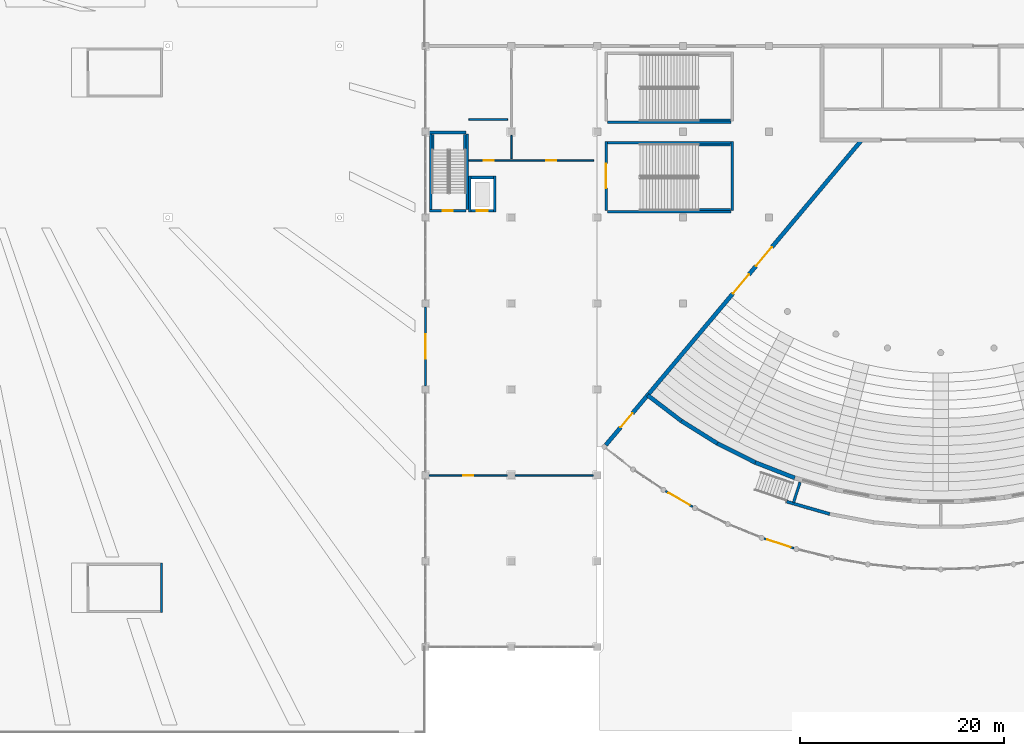
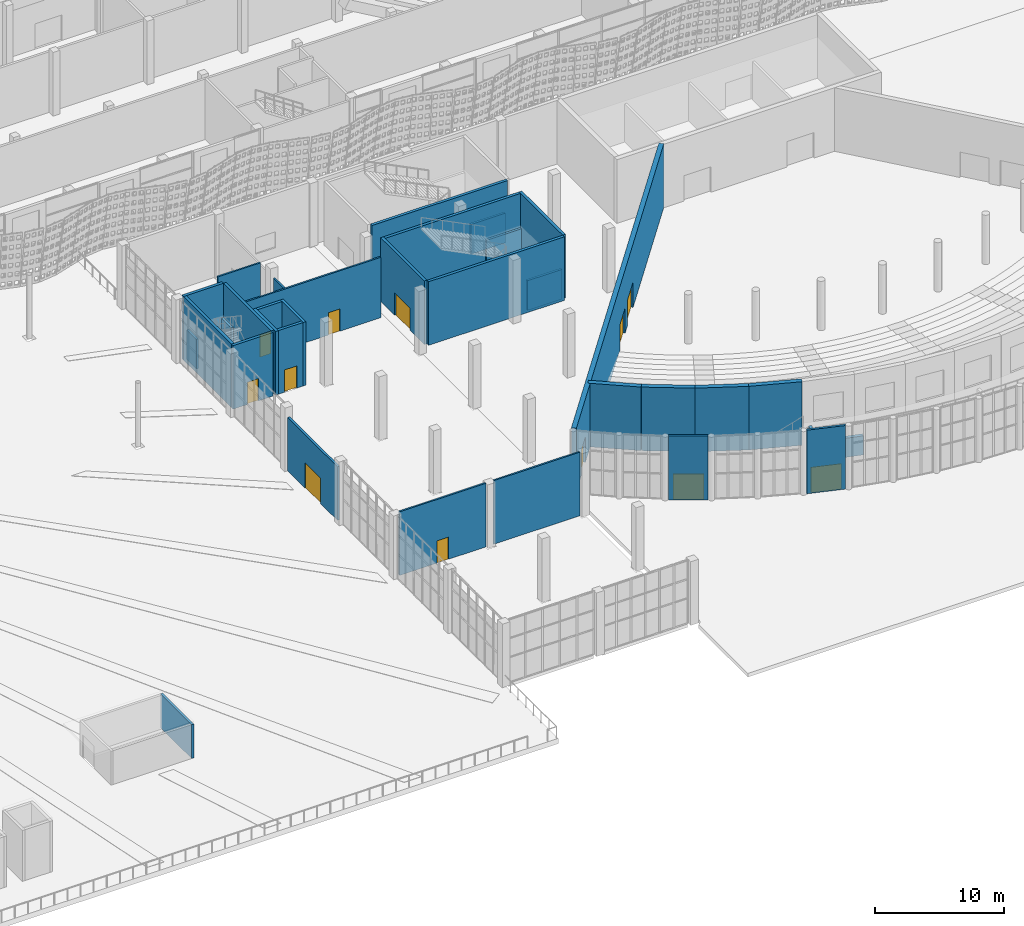
# One storey, part 108 of 210: 34 walls, 12 doors, 12 openings.
"""IFC4 building model written with IfcOpenShell, lengths in metres."""

from ifc_helpers import new_model, si_unit, direction, frame, frame_2d, origin, place, context, subcontext, project, spatial, rectangle, extrude, material, layer, layer_set, type_object, element, fill, save


model = new_model("IFC4")

# Units and contexts
model_context = context("Model", 3, precision=1e-05, world=origin(), true_north=direction((0.0, 1.0)))
body_context = subcontext(model_context, "Body", "Model", "MODEL_VIEW")
ifc_project = project(units=[si_unit("LENGTHUNIT", "METRE"), si_unit("AREAUNIT", "SQUARE_METRE"), si_unit("VOLUMEUNIT", "CUBIC_METRE"), si_unit("PLANEANGLEUNIT", "RADIAN"), si_unit("MASSUNIT", "GRAM", prefix="KILO")], contexts=[model_context])

# Site, building, storey
site_placement = place(None, origin())
site = spatial("IfcSite", under=ifc_project, at=site_placement, CompositionType="ELEMENT")
building_placement = place(site_placement, origin())
building = spatial("IfcBuilding", under=site, at=building_placement, Name="Rain Tree Exposition and Congress Centre", CompositionType="ELEMENT")
storey_placement = place(building_placement, origin())
storey = spatial("IfcBuildingStorey", under=building, at=storey_placement, Name="L00", CompositionType="ELEMENT", Elevation=0.0)

# Wall, openings, doors
ifc_material_1 = material(Name="Concrete C40/50", Category="concrete")
ifc_layer_1 = layer(ifc_material_1, 0.39990234375)
ifc_layer_set_1 = layer_set([ifc_layer_1], Name="Concrete C40/50")
wall_type_1 = type_object("IfcWallType", Name="Acoustic wall 400", PredefinedType="SHEAR", material=ifc_layer_set_1)
wall_1_placement = place(storey_placement, frame((193.886474609375, 58.007568359375, 0.0), z_axis=(0.0, 0.0, 1.0), x_axis=(-0.642781866374, -0.766049262293, 0.0)))
wall_1 = element("IfcWall", 1, at=wall_1_placement, inside=storey, type_object=wall_type_1, Name="Side wall W", PredefinedType="SHEAR", context=body_context, shape_type="SweptSolid", body=[
    extrude(rectangle(XDim=38.949951171875, YDim=0.39990234375, at=frame_2d((19.47509765625, 0.0))), origin(), (0.0, 0.0, 1.0), 6.0),
])
opening_1_placement = place(wall_1_placement, frame((13.699951171875, 0.0, 0.0)))
opening_1 = element("IfcOpeningElement", 2, at=opening_1_placement, cuts=wall_1, Name="Opening DG101", PredefinedType="OPENING", context=body_context, shape_type="SweptSolid", body=[
    extrude(rectangle(XDim=2.39990234375, YDim=2.39990234375, at=frame_2d((1.199951171875, 1.199951171875))), frame((0.0, 0.199951171875, 0.0), z_axis=(0.0, -1.0, 0.0), x_axis=(1.0, 0.0, 0.0)), (0.0, 0.0, 1.0), 0.39990234375),
])
opening_2_placement = place(wall_1_placement, frame((17.199951171875, 0.0, 0.0)))
opening_2 = element("IfcOpeningElement", 3, at=opening_2_placement, cuts=wall_1, Name="Opening DG102", PredefinedType="OPENING", context=body_context, shape_type="SweptSolid", body=[
    extrude(rectangle(XDim=2.39990234375, YDim=2.39990234375, at=frame_2d((1.199951171875, 1.199951171875))), frame((0.0, 0.199951171875, 0.0), z_axis=(0.0, -1.0, 0.0), x_axis=(1.0, 0.0, 0.0)), (0.0, 0.0, 1.0), 0.39990234375),
])
opening_3_placement = place(wall_1_placement, frame((34.89990234375, 0.0, 0.0)))
opening_3 = element("IfcOpeningElement", 4, at=opening_3_placement, cuts=wall_1, Name="Opening DG103", PredefinedType="OPENING", context=body_context, shape_type="SweptSolid", body=[
    extrude(rectangle(XDim=1.800048828125, YDim=2.39990234375, at=frame_2d((0.89990234375, 1.199951171875))), frame((0.0, 0.199951171875, 0.0), z_axis=(0.0, -1.0, 0.0), x_axis=(1.0, 0.0, 0.0)), (0.0, 0.0, 1.0), 0.39990234375),
])
ifc_material_2 = material(Name="Timber with steel frame", Category="steel")
door_type_1 = type_object("IfcDoorType", Name="Auditorium exit door 1800x2400", OperationType="DOUBLE_DOOR_SINGLE_SWING", PredefinedType="DOOR", material=ifc_material_2)
door_1_placement = place(opening_3_placement, origin())
door_1 = element("IfcDoor", 5, at=door_1_placement, inside=storey, type_object=door_type_1, Name="DG103", OperationType="DOUBLE_DOOR_SINGLE_SWING", OverallHeight=2.39990234375, OverallWidth=1.800048828125, PredefinedType="DOOR", context=body_context, shape_type="SweptSolid", body=[
    extrude(rectangle(XDim=1.800048828125, YDim=2.39990234375, at=frame_2d((0.89990234375, 1.199951171875))), frame((0.0, 0.02490234375, 0.0), z_axis=(0.0, -1.0, 0.0), x_axis=(1.0, 0.0, 0.0)), (0.0, 0.0, 1.0), 0.050048828125),
])
fill(opening_3, door_1)
ifc_material_3 = material(Name="Aluminium and glass", Category="aluminium")
door_type_2 = type_object("IfcDoorType", Name="Entrance door 2400x2400", OperationType="DOUBLE_DOOR_SINGLE_SWING", PredefinedType="DOOR", material=ifc_material_3)
door_2_placement = place(opening_1_placement, origin())
door_2 = element("IfcDoor", 6, at=door_2_placement, inside=storey, type_object=door_type_2, Name="DG101", OperationType="DOUBLE_DOOR_SINGLE_SWING", OverallHeight=2.39990234375, OverallWidth=2.39990234375, PredefinedType="DOOR", context=body_context, shape_type="SweptSolid", body=[
    extrude(rectangle(XDim=2.39990234375, YDim=2.39990234375, at=frame_2d((1.199951171875, 1.199951171875))), frame((0.0, 0.02490234375, 0.0), z_axis=(0.0, -1.0, 0.0), x_axis=(1.0, 0.0, 0.0)), (0.0, 0.0, 1.0), 0.050048828125),
])
fill(opening_1, door_2)
door_3_placement = place(opening_2_placement, origin())
door_3 = element("IfcDoor", 7, at=door_3_placement, inside=storey, type_object=door_type_2, Name="DG102", OperationType="DOUBLE_DOOR_SINGLE_SWING", OverallHeight=2.39990234375, OverallWidth=2.39990234375, PredefinedType="DOOR", context=body_context, shape_type="SweptSolid", body=[
    extrude(rectangle(XDim=2.39990234375, YDim=2.39990234375, at=frame_2d((1.199951171875, 1.199951171875))), frame((0.0, 0.02490234375, 0.0), z_axis=(0.0, -1.0, 0.0), x_axis=(1.0, 0.0, 0.0)), (0.0, 0.0, 1.0), 0.050048828125),
])
fill(opening_2, door_3)

# Walls
for number, where, z_axis, x_axis, name in (
    (8, (172.931640625, 33.034423828125, 0.0), (0.0, 0.0, 1.0), (0.795116964112, -0.60645611002, 0.0), "Rear wall 1"),
    (9, (176.2314453125, 30.517578125, 0.0), (0.0, 0.0, 1.0), (0.848051178058, -0.529914332127, 0.0), "Rear wall 2"),
):
    element("IfcWall", number, at=place(storey_placement, frame(where, z_axis=z_axis, x_axis=x_axis)), inside=storey, type_object=wall_type_1, Name=name, PredefinedType="SHEAR", context=body_context, shape_type="SweptSolid", body=[
        extrude(rectangle(XDim=4.150146484375, YDim=0.39990234375, at=frame_2d((2.0751953125, 0.0))), origin(), (0.0, 0.0, 1.0), 6.0),
    ])
wall_2_placement = place(storey_placement, frame((179.7509765625, 28.318359375, 0.0), z_axis=(0.0, 0.0, 1.0), x_axis=(0.893625673421, -0.448813052175, 0.0)))
element("IfcWall", 10, at=wall_2_placement, inside=storey, type_object=wall_type_1, Name="Rear wall 3", PredefinedType="SHEAR", context=body_context, shape_type="SweptSolid", body=[
    extrude(rectangle(XDim=4.14990234375, YDim=0.39990234375, at=frame_2d((2.074951171875, 0.0))), origin(), (0.0, 0.0, 1.0), 6.0),
])
wall_3_placement = place(storey_placement, frame((183.45947265625, 26.455810546875, 0.0), z_axis=(0.0, 0.0, 1.0), x_axis=(0.931480400258, -0.363791511633, 0.0)))
element("IfcWall", 11, at=wall_3_placement, inside=storey, type_object=wall_type_1, Name="Rear wall 4", PredefinedType="SHEAR", context=body_context, shape_type="SweptSolid", body=[
    extrude(rectangle(XDim=4.150146484375, YDim=0.39990234375, at=frame_2d((2.0751953125, 0.0))), origin(), (0.0, 0.0, 1.0), 6.0),
])
ifc_material_4 = material(Name="Concrete C40/50", Category="concrete")
ifc_layer_2 = layer(ifc_material_4, 0.25)
ifc_layer_set_2 = layer_set([ifc_layer_2], Name="Concrete C40/50")
wall_type_2 = type_object("IfcWallType", Name="Core wall 250", PredefinedType="SHEAR", material=ifc_layer_set_2)
for number, where, z_axis, x_axis, name in (
    (12, (155.050048828125, 57.050048828125, 0.0), (0.0, 0.0, 1.0), (0.0, 1.0, 0.0), "ST-G1 landing support wall 1"),
    (13, (151.949951171875, 58.550048828125, 0.0), (0.0, 0.0, 1.0), (0.0, -1.0, 0.0), "ST-G1 landing support wall 2"),
):
    element("IfcWall", number, at=place(storey_placement, frame(where, z_axis=z_axis, x_axis=x_axis)), inside=storey, type_object=wall_type_2, Name=name, PredefinedType="SHEAR", context=body_context, shape_type="SweptSolid", body=[
        extrude(rectangle(XDim=1.5, YDim=0.199951171875, at=frame_2d((0.75, 0.0))), origin(), (0.0, 0.0, 1.0), 2.800048828125),
    ])
for number, where, z_axis, x_axis, name in (
    (14, (177.949951171875, 51.199951171875, 0.0), (0.0, 0.0, 1.0), (1.0, 0.0, 0.0), "ST-G3 landing support wall 1"),
    (15, (181.050048828125, 57.5, 0.0), (0.0, 0.0, 1.0), (-1.0, 0.0, 0.0), "ST-G3 landing support wall 2"),
    (16, (177.949951171875, 59.949951171875, 0.0), (0.0, 0.0, 1.0), (1.0, 0.0, 0.0), "ST-G4 landing support wall 1"),
):
    element("IfcWall", number, at=place(storey_placement, frame(where, z_axis=z_axis, x_axis=x_axis)), inside=storey, type_object=wall_type_2, Name=name, PredefinedType="SHEAR", context=body_context, shape_type="SweptSolid", body=[
        extrude(rectangle(XDim=3.10009765625, YDim=0.199951171875, at=frame_2d((1.550048828125, 0.0))), origin(), (0.0, 0.0, 1.0), 2.800048828125),
    ])

# Wall, opening, door
wall_4_placement = place(storey_placement, frame((155.14990234375, 51.074951171875, 0.0), z_axis=(0.0, 0.0, 1.0), x_axis=(-1.0, 0.0, 0.0)))
wall_4 = element("IfcWall", 17, at=wall_4_placement, inside=storey, type_object=wall_type_2, Name="Stair ST-G1 near wall", PredefinedType="SHEAR", context=body_context, shape_type="SweptSolid", body=[
    extrude(rectangle(XDim=3.5498046875, YDim=0.25, at=frame_2d((1.77490234375, 0.0))), origin(), (0.0, 0.0, 1.0), 6.0),
])
opening_4_placement = place(wall_4_placement, frame((1.27490234375, 0.0, 0.0)))
opening_4 = element("IfcOpeningElement", 18, at=opening_4_placement, cuts=wall_4, Name="Opening DG132", PredefinedType="OPENING", context=body_context, shape_type="SweptSolid", body=[
    extrude(rectangle(XDim=1.0, YDim=2.10009765625, at=frame_2d((0.5, 1.050048828125))), frame((0.0, 0.125, 0.0), z_axis=(0.0, -1.0, 0.0), x_axis=(1.0, 0.0, 0.0)), (0.0, 0.0, 1.0), 0.25),
])
ifc_material_5 = material(Name="Steel", Category="steel")
door_type_3 = type_object("IfcDoorType", Name="Fire door 1000x2100 congress", OperationType="NOTDEFINED", PredefinedType="DOOR", material=ifc_material_5)
door_4_placement = place(opening_4_placement, origin())
door_4 = element("IfcDoor", 19, at=door_4_placement, inside=storey, type_object=door_type_3, Name="DG132", OperationType="SINGLE_SWING_LEFT", OverallHeight=2.10009765625, OverallWidth=1.0, PredefinedType="DOOR", context=body_context, shape_type="SweptSolid", body=[
    extrude(rectangle(XDim=1.0, YDim=2.10009765625, at=frame_2d((0.5, 1.050048828125))), frame((0.0, 0.02490234375, 0.0), z_axis=(0.0, -1.0, 0.0), x_axis=(1.0, 0.0, 0.0)), (0.0, 0.0, 1.0), 0.050048828125),
])
fill(opening_4, door_4)

# Walls
wall_5_placement = place(storey_placement, frame((155.14990234375, 58.72509765625, 0.0), z_axis=(0.0, 0.0, 1.0), x_axis=(-1.0, 0.0, 0.0)))
element("IfcWall", 20, at=wall_5_placement, inside=storey, type_object=wall_type_2, Name="Stair ST-G1 far wall", PredefinedType="SHEAR", context=body_context, shape_type="SweptSolid", body=[
    extrude(rectangle(XDim=3.5498046875, YDim=0.25, at=frame_2d((1.77490234375, 0.0))), origin(), (0.0, 0.0, 1.0), 6.0),
])
for number, where, z_axis, x_axis, name in (
    (21, (151.72509765625, 51.199951171875, 0.0), (0.0, 0.0, 1.0), (0.0, 1.0, 0.0), "Stair ST-G1 outer wall"),
    (22, (155.27490234375, 51.199951171875, 0.0), (0.0, 0.0, 1.0), (0.0, 1.0, 0.0), "Stair ST-G1 inner wall"),
):
    element("IfcWall", number, at=place(storey_placement, frame(where, z_axis=z_axis, x_axis=x_axis)), inside=storey, type_object=wall_type_2, Name=name, PredefinedType="SHEAR", context=body_context, shape_type="SweptSolid", body=[
        extrude(rectangle(XDim=7.400146484375, YDim=0.25, at=frame_2d((3.7001953125, 0.0))), origin(), (0.0, 0.0, 1.0), 6.0),
    ])

# Wall, opening, door
wall_6_placement = place(storey_placement, frame((168.875, 51.10009765625, 0.0), z_axis=(0.0, 0.0, 1.0), x_axis=(0.0, 1.0, 0.0)))
wall_6 = element("IfcWall", 23, at=wall_6_placement, inside=storey, type_object=wall_type_2, Name="Stair ST-G3 near wall", PredefinedType="SHEAR", context=body_context, shape_type="SweptSolid", body=[
    extrude(rectangle(XDim=6.75, YDim=0.25, at=frame_2d((3.375, 0.0))), origin(), (0.0, 0.0, 1.0), 6.0),
])
opening_5_placement = place(wall_6_placement, frame((2.175048828125, 0.0, 0.0)))
opening_5 = element("IfcOpeningElement", 24, at=opening_5_placement, cuts=wall_6, Name="Opening DG136", PredefinedType="OPENING", context=body_context, shape_type="SweptSolid", body=[
    extrude(rectangle(XDim=2.39990234375, YDim=2.10009765625, at=frame_2d((1.199951171875, 1.050048828125))), frame((0.0, 0.125, 0.0), z_axis=(0.0, -1.0, 0.0), x_axis=(1.0, 0.0, 0.0)), (0.0, 0.0, 1.0), 0.25),
])
ifc_material_6 = material(Name="Steel", Category="steel")
door_type_4 = type_object("IfcDoorType", Name="Fire door double 2400x2100 congress", OperationType="DOUBLE_DOOR_SINGLE_SWING", PredefinedType="DOOR", material=ifc_material_6)
door_5_placement = place(opening_5_placement, origin())
door_5 = element("IfcDoor", 25, at=door_5_placement, inside=storey, type_object=door_type_4, Name="DG136", OperationType="DOUBLE_DOOR_SINGLE_SWING", OverallHeight=2.10009765625, OverallWidth=2.39990234375, PredefinedType="DOOR", context=body_context, shape_type="SweptSolid", body=[
    extrude(rectangle(XDim=2.39990234375, YDim=2.10009765625, at=frame_2d((1.199951171875, 1.050048828125))), frame((0.0, 0.02490234375, 0.0), z_axis=(0.0, -1.0, 0.0), x_axis=(1.0, 0.0, 0.0)), (0.0, 0.0, 1.0), 0.050048828125),
])
fill(opening_5, door_5)

# Walls
wall_7_placement = place(storey_placement, frame((181.22509765625, 51.10009765625, 0.0), z_axis=(0.0, 0.0, 1.0), x_axis=(0.0, 1.0, 0.0)))
element("IfcWall", 26, at=wall_7_placement, inside=storey, type_object=wall_type_2, Name="Stair ST-G3 far wall", PredefinedType="SHEAR", context=body_context, shape_type="SweptSolid", body=[
    extrude(rectangle(XDim=6.75, YDim=0.25, at=frame_2d((3.375, 0.0))), origin(), (0.0, 0.0, 1.0), 6.0),
])
for number, where, z_axis, x_axis, name in (
    (27, (169.0, 57.72509765625, 0.0), (0.0, 0.0, 1.0), (1.0, 0.0, 0.0), "Stair ST-G3 outer wall"),
    (28, (169.0, 50.97509765625, 0.0), (0.0, 0.0, 1.0), (1.0, 0.0, 0.0), "Stair ST-G3 inner wall"),
    (29, (169.0, 59.72509765625, 0.0), (0.0, 0.0, 1.0), (1.0, 0.0, 0.0), "Stair ST-G4 inner wall"),
):
    element("IfcWall", number, at=place(storey_placement, frame(where, z_axis=z_axis, x_axis=x_axis)), inside=storey, type_object=wall_type_2, Name=name, PredefinedType="SHEAR", context=body_context, shape_type="SweptSolid", body=[
        extrude(rectangle(XDim=12.10009765625, YDim=0.25, at=frame_2d((6.050048828125, 0.0))), origin(), (0.0, 0.0, 1.0), 6.0),
    ])
for number, where, z_axis, x_axis, name in (
    (30, (155.52490234375, 50.949951171875, 0.0), (0.0, 0.0, 1.0), (0.0, 1.0, 0.0), "Lift G1 shaft wall west"),
    (31, (157.97509765625, 50.949951171875, 0.0), (0.0, 0.0, 1.0), (0.0, 1.0, 0.0), "Lift G1 shaft wall east"),
):
    element("IfcWall", number, at=place(storey_placement, frame(where, z_axis=z_axis, x_axis=x_axis)), inside=storey, type_object=wall_type_2, Name=name, PredefinedType="SHEAR", context=body_context, shape_type="SweptSolid", body=[
        extrude(rectangle(XDim=3.5, YDim=0.25, at=frame_2d((1.75, 0.0))), origin(), (0.0, 0.0, 1.0), 6.0),
    ])

# Wall, opening, door
wall_8_placement = place(storey_placement, frame((155.64990234375, 51.074951171875, 0.0), z_axis=(0.0, 0.0, 1.0), x_axis=(1.0, 0.0, 0.0)))
wall_8 = element("IfcWall", 32, at=wall_8_placement, inside=storey, type_object=wall_type_2, Name="Lift G1 shaft wall south", PredefinedType="SHEAR", context=body_context, shape_type="SweptSolid", body=[
    extrude(rectangle(XDim=2.2001953125, YDim=0.25, at=frame_2d((1.10009765625, 0.0))), origin(), (0.0, 0.0, 1.0), 6.0),
])
opening_6_placement = place(wall_8_placement, frame((0.550048828125, 0.0, 0.0)))
opening_6 = element("IfcOpeningElement", 33, at=opening_6_placement, cuts=wall_8, Name="Opening DG130", PredefinedType="OPENING", context=body_context, shape_type="SweptSolid", body=[
    extrude(rectangle(XDim=1.10009765625, YDim=2.10009765625, at=frame_2d((0.550048828125, 1.050048828125))), frame((0.0, 0.125, 0.0), z_axis=(0.0, -1.0, 0.0), x_axis=(1.0, 0.0, 0.0)), (0.0, 0.0, 1.0), 0.25),
])
ifc_material_7 = material(Name="Stainless steel", Category="steel")
door_type_5 = type_object("IfcDoorType", Name="Lift landing door 1100x2100", OperationType="DOUBLE_DOOR_SLIDING", PredefinedType="DOOR", material=ifc_material_7)
door_6_placement = place(opening_6_placement, origin())
door_6 = element("IfcDoor", 34, at=door_6_placement, inside=storey, type_object=door_type_5, Name="DG130", OperationType="DOUBLE_DOOR_SLIDING", OverallHeight=2.10009765625, OverallWidth=1.10009765625, PredefinedType="DOOR", context=body_context, shape_type="SweptSolid", body=[
    extrude(rectangle(XDim=1.10009765625, YDim=2.10009765625, at=frame_2d((0.550048828125, 1.050048828125))), frame((0.0, 0.02490234375, 0.0), z_axis=(0.0, -1.0, 0.0), x_axis=(1.0, 0.0, 0.0)), (0.0, 0.0, 1.0), 0.050048828125),
])
fill(opening_6, door_6)

# Wall
wall_9_placement = place(storey_placement, frame((155.64990234375, 54.324951171875, 0.0), z_axis=(0.0, 0.0, 1.0), x_axis=(1.0, 0.0, 0.0)))
element("IfcWall", 35, at=wall_9_placement, inside=storey, type_object=wall_type_2, Name="Lift G1 shaft wall north", PredefinedType="SHEAR", context=body_context, shape_type="SweptSolid", body=[
    extrude(rectangle(XDim=2.2001953125, YDim=0.25, at=frame_2d((1.10009765625, 0.0))), origin(), (0.0, 0.0, 1.0), 6.0),
])

# Wall, opening, door
ifc_material_8 = material(Name="Concrete C32/40", Category="concrete")
ifc_layer_3 = layer(ifc_material_8, 0.199951171875)
ifc_layer_set_3 = layer_set([ifc_layer_3], Name="Concrete C32/40")
wall_type_3 = type_object("IfcWallType", Name="Entrance infill wall 200", PredefinedType="SOLIDWALL", material=ifc_layer_set_3)
wall_10_placement = place(storey_placement, frame((174.6845703125, 23.65478515625, 0.0), z_axis=(0.0, 0.0, 1.0), x_axis=(0.866054637847, -0.499949361699, 0.0)))
wall_10 = element("IfcWall", 36, at=wall_10_placement, inside=storey, type_object=wall_type_3, Name="Entrance infill wall 3", PredefinedType="SOLIDWALL", context=body_context, shape_type="SweptSolid", body=[
    extrude(rectangle(XDim=3.073486328125, YDim=0.199951171875, at=frame_2d((1.53662109375, 0.0))), origin(), (0.0, 0.0, 1.0), 6.0),
])
opening_7_placement = place(wall_10_placement, frame((0.3369140625, 0.0, 0.0)))
opening_7 = element("IfcOpeningElement", 37, at=opening_7_placement, cuts=wall_10, Name="Opening DG125", PredefinedType="OPENING", context=body_context, shape_type="SweptSolid", body=[
    extrude(rectangle(XDim=2.39990234375, YDim=2.39990234375, at=frame_2d((1.199951171875, 1.199951171875))), frame((0.0, 0.10009765625, 0.0), z_axis=(0.0, -1.0, 0.0), x_axis=(1.0, 0.0, 0.0)), (0.0, 0.0, 1.0), 0.199951171875),
])
door_7_placement = place(opening_7_placement, origin())
door_7 = element("IfcDoor", 38, at=door_7_placement, inside=storey, type_object=door_type_2, Name="DG125", OperationType="DOUBLE_DOOR_SINGLE_SWING", OverallHeight=2.39990234375, OverallWidth=2.39990234375, PredefinedType="DOOR", context=body_context, shape_type="SweptSolid", body=[
    extrude(rectangle(XDim=2.39990234375, YDim=2.39990234375, at=frame_2d((1.199951171875, 1.199951171875))), frame((0.0, 0.02490234375, 0.0), z_axis=(0.0, -1.0, 0.0), x_axis=(1.0, 0.0, 0.0)), (0.0, 0.0, 1.0), 0.050048828125),
])
fill(opening_7, door_7)

wall_11_placement = place(storey_placement, frame((184.326416015625, 19.010498046875, 0.0), z_axis=(0.0, 0.0, 1.0), x_axis=(0.951062668065, -0.308998060534, 0.0)))
wall_11 = element("IfcWall", 39, at=wall_11_placement, inside=storey, type_object=wall_type_3, Name="Entrance infill wall 6", PredefinedType="SOLIDWALL", context=body_context, shape_type="SweptSolid", body=[
    extrude(rectangle(XDim=3.073486328125, YDim=0.199951171875, at=frame_2d((1.53662109375, 0.0))), origin(), (0.0, 0.0, 1.0), 6.0),
])
opening_8_placement = place(wall_11_placement, frame((0.3369140625, 0.0, 0.0)))
opening_8 = element("IfcOpeningElement", 40, at=opening_8_placement, cuts=wall_11, Name="Opening DG126", PredefinedType="OPENING", context=body_context, shape_type="SweptSolid", body=[
    extrude(rectangle(XDim=2.39990234375, YDim=2.39990234375, at=frame_2d((1.199951171875, 1.199951171875))), frame((0.0, 0.10009765625, 0.0), z_axis=(0.0, -1.0, 0.0), x_axis=(1.0, 0.0, 0.0)), (0.0, 0.0, 1.0), 0.199951171875),
])
door_8_placement = place(opening_8_placement, origin())
door_8 = element("IfcDoor", 41, at=door_8_placement, inside=storey, type_object=door_type_2, Name="DG126", OperationType="DOUBLE_DOOR_SINGLE_SWING", OverallHeight=2.39990234375, OverallWidth=2.39990234375, PredefinedType="DOOR", context=body_context, shape_type="SweptSolid", body=[
    extrude(rectangle(XDim=2.39990234375, YDim=2.39990234375, at=frame_2d((1.199951171875, 1.199951171875))), frame((0.0, 0.02490234375, 0.0), z_axis=(0.0, -1.0, 0.0), x_axis=(1.0, 0.0, 0.0)), (0.0, 0.0, 1.0), 0.050048828125),
])
fill(opening_8, door_8)

wall_12_placement = place(storey_placement, frame((151.199951171875, 33.949951171875, 0.0), z_axis=(0.0, 0.0, 1.0), x_axis=(0.0, 1.0, 0.0)))
wall_12 = element("IfcWall", 42, at=wall_12_placement, inside=storey, type_object=wall_type_3, Name="Foyer entrance infill wall", PredefinedType="SOLIDWALL", context=body_context, shape_type="SweptSolid", body=[
    extrude(rectangle(XDim=7.699951171875, YDim=0.199951171875, at=frame_2d((3.85009765625, 0.0))), origin(), (0.0, 0.0, 1.0), 5.050048828125),
])
opening_9_placement = place(wall_12_placement, frame((2.64990234375, 0.0, 0.0)))
opening_9 = element("IfcOpeningElement", 43, at=opening_9_placement, cuts=wall_12, Name="Opening DG129", PredefinedType="OPENING", context=body_context, shape_type="SweptSolid", body=[
    extrude(rectangle(XDim=2.39990234375, YDim=2.39990234375, at=frame_2d((1.199951171875, 1.199951171875))), frame((0.0, 0.10009765625, 0.0), z_axis=(0.0, -1.0, 0.0), x_axis=(1.0, 0.0, 0.0)), (0.0, 0.0, 1.0), 0.199951171875),
])
door_9_placement = place(opening_9_placement, origin())
door_9 = element("IfcDoor", 44, at=door_9_placement, inside=storey, type_object=door_type_2, Name="DG129", OperationType="DOUBLE_DOOR_SINGLE_SWING", OverallHeight=2.39990234375, OverallWidth=2.39990234375, PredefinedType="DOOR", context=body_context, shape_type="SweptSolid", body=[
    extrude(rectangle(XDim=2.39990234375, YDim=2.39990234375, at=frame_2d((1.199951171875, 1.199951171875))), frame((0.0, 0.02490234375, 0.0), z_axis=(0.0, -1.0, 0.0), x_axis=(1.0, 0.0, 0.0)), (0.0, 0.0, 1.0), 0.050048828125),
])
fill(opening_9, door_9)

# Walls
ifc_material_9 = material(Name="Concrete C40/50", Category="concrete")
ifc_layer_4 = layer(ifc_material_9, 0.300048828125)
ifc_layer_set_4 = layer_set([ifc_layer_4], Name="Concrete C40/50")
wall_type_4 = type_object("IfcWallType", Name="Exit landing support wall 300", PredefinedType="SOLIDWALL", material=ifc_layer_set_4)
wall_13_placement = place(storey_placement, frame((186.541015625, 22.625, 0.0), z_axis=(0.0, 0.0, 1.0), x_axis=(0.96126046899, -0.275641634657, 0.0)))
element("IfcWall", 45, at=wall_13_placement, inside=storey, type_object=wall_type_4, Name="Rear exit landing front wall 1", PredefinedType="SOLIDWALL", context=body_context, shape_type="SweptSolid", body=[
    extrude(rectangle(XDim=4.378173828125, YDim=0.300048828125, at=frame_2d((2.18896484375, 0.0))), origin(), (0.0, 0.0, 1.0), 1.800048828125),
])
wall_14_placement = place(storey_placement, frame((187.83984375, 24.512939453125, 0.0), z_axis=(0.0, 0.0, 1.0), x_axis=(-0.306829524437, -0.951764489217, 0.0)))
element("IfcWall", 46, at=wall_14_placement, inside=storey, type_object=wall_type_4, Name="Rear exit landing cross wall 1", PredefinedType="SOLIDWALL", context=body_context, shape_type="SweptSolid", body=[
    extrude(rectangle(XDim=2.099853515625, YDim=0.25, at=frame_2d((1.0498046875, 0.0))), origin(), (0.0, 0.0, 1.0), 1.800048828125),
])
ifc_material_10 = material(Name="Concrete C40/50", Category="concrete")
ifc_layer_5 = layer(ifc_material_10, 0.199951171875)
ifc_layer_set_5 = layer_set([ifc_layer_5], Name="Concrete C40/50")
wall_type_5 = type_object("IfcWallType", Name="Exit stair wall 200", PredefinedType="PARTITIONING", material=ifc_layer_set_5)
wall_15_placement = place(storey_placement, frame((125.39990234375, 11.800048828125, 0.0), z_axis=(0.0, 0.0, 1.0), x_axis=(0.0, 1.0, 0.0)))
element("IfcWall", 47, at=wall_15_placement, inside=storey, type_object=wall_type_5, Name="Exit stair E2 wall east", PredefinedType="SOLIDWALL", context=body_context, shape_type="SweptSolid", body=[
    extrude(rectangle(XDim=4.800048828125, YDim=0.199951171875, at=frame_2d((2.39990234375, 0.0))), origin(), (0.0, 0.0, 1.0), 3.199951171875),
])

# Wall, opening, door
ifc_material_11 = material(Name="Concrete block C12", Category="concrete")
ifc_layer_6 = layer(ifc_material_11, 0.14990234375)
ifc_layer_set_6 = layer_set([ifc_layer_6], Name="Concrete block C12")
wall_type_6 = type_object("IfcWallType", Name="Partition wall 150 congress", PredefinedType="PARTITIONING", material=ifc_layer_set_6)
wall_16_placement = place(storey_placement, frame((151.550048828125, 25.199951171875, 0.0), z_axis=(0.0, 0.0, 1.0), x_axis=(1.0, 0.0, 0.0)))
wall_16 = element("IfcWall", 48, at=wall_16_placement, inside=storey, type_object=wall_type_6, Name="Cloakroom partition wall", PredefinedType="PARTITIONING", context=body_context, shape_type="SweptSolid", body=[
    extrude(rectangle(XDim=7.699951171875, YDim=0.14990234375, at=frame_2d((3.85009765625, 0.0))), origin(), (0.0, 0.0, 1.0), 6.0),
])
opening_10_placement = place(wall_16_placement, frame((3.35009765625, 0.0, 0.0)))
opening_10 = element("IfcOpeningElement", 49, at=opening_10_placement, cuts=wall_16, Name="Opening DG140", PredefinedType="OPENING", context=body_context, shape_type="SweptSolid", body=[
    extrude(rectangle(XDim=1.0, YDim=2.10009765625, at=frame_2d((0.5, 1.050048828125))), frame((0.0, 0.074951171875, 0.0), z_axis=(0.0, -1.0, 0.0), x_axis=(1.0, 0.0, 0.0)), (0.0, 0.0, 1.0), 0.14990234375),
])
ifc_material_12 = material(Name="Timber with steel frame", Category="steel")
door_type_6 = type_object("IfcDoorType", Name="Single door 1000x2100 congress", OperationType="NOTDEFINED", PredefinedType="DOOR", material=ifc_material_12)
door_10_placement = place(opening_10_placement, origin())
door_10 = element("IfcDoor", 50, at=door_10_placement, inside=storey, type_object=door_type_6, Name="DG140", OperationType="SINGLE_SWING_LEFT", OverallHeight=2.10009765625, OverallWidth=1.0, PredefinedType="DOOR", context=body_context, shape_type="SweptSolid", body=[
    extrude(rectangle(XDim=1.0, YDim=2.10009765625, at=frame_2d((0.5, 1.050048828125))), frame((0.0, 0.02490234375, 0.0), z_axis=(0.0, -1.0, 0.0), x_axis=(1.0, 0.0, 0.0)), (0.0, 0.0, 1.0), 0.050048828125),
])
fill(opening_10, door_10)

# Wall
wall_17_placement = place(storey_placement, frame((159.949951171875, 25.199951171875, 0.0), z_axis=(0.0, 0.0, 1.0), x_axis=(1.0, 0.0, 0.0)))
element("IfcWall", 51, at=wall_17_placement, inside=storey, type_object=wall_type_6, Name="Cloakroom partition wall", PredefinedType="PARTITIONING", context=body_context, shape_type="SweptSolid", body=[
    extrude(rectangle(XDim=7.699951171875, YDim=0.14990234375, at=frame_2d((3.85009765625, 0.0))), origin(), (0.0, 0.0, 1.0), 6.0),
])

# Wall, openings, doors
wall_18_placement = place(storey_placement, frame((155.449951171875, 56.0, 0.0), z_axis=(0.0, 0.0, 1.0), x_axis=(1.0, 0.0, 0.0)))
wall_18 = element("IfcWall", 52, at=wall_18_placement, inside=storey, type_object=wall_type_6, Name="Toilet block wall", PredefinedType="PARTITIONING", context=body_context, shape_type="SweptSolid", body=[
    extrude(rectangle(XDim=12.199951171875, YDim=0.14990234375, at=frame_2d((6.10009765625, 0.0))), origin(), (0.0, 0.0, 1.0), 5.699951171875),
])
opening_11_placement = place(wall_18_placement, frame((7.550048828125, 0.0, 0.0)))
opening_11 = element("IfcOpeningElement", 53, at=opening_11_placement, cuts=wall_18, Name="Opening DG141", PredefinedType="OPENING", context=body_context, shape_type="SweptSolid", body=[
    extrude(rectangle(XDim=1.0, YDim=2.10009765625, at=frame_2d((0.5, 1.050048828125))), frame((0.0, 0.074951171875, 0.0), z_axis=(0.0, -1.0, 0.0), x_axis=(1.0, 0.0, 0.0)), (0.0, 0.0, 1.0), 0.14990234375),
])
opening_12_placement = place(wall_18_placement, frame((1.449951171875, 0.0, 0.0)))
opening_12 = element("IfcOpeningElement", 54, at=opening_12_placement, cuts=wall_18, Name="Opening DG142", PredefinedType="OPENING", context=body_context, shape_type="SweptSolid", body=[
    extrude(rectangle(XDim=1.0, YDim=2.10009765625, at=frame_2d((0.5, 1.050048828125))), frame((0.0, 0.074951171875, 0.0), z_axis=(0.0, -1.0, 0.0), x_axis=(1.0, 0.0, 0.0)), (0.0, 0.0, 1.0), 0.14990234375),
])
door_11_placement = place(opening_11_placement, origin())
door_11 = element("IfcDoor", 55, at=door_11_placement, inside=storey, type_object=door_type_3, Name="DG141", OperationType="SINGLE_SWING_RIGHT", OverallHeight=2.10009765625, OverallWidth=1.0, PredefinedType="DOOR", context=body_context, shape_type="SweptSolid", body=[
    extrude(rectangle(XDim=1.0, YDim=2.10009765625, at=frame_2d((0.5, 1.050048828125))), frame((0.0, 0.02490234375, 0.0), z_axis=(0.0, -1.0, 0.0), x_axis=(1.0, 0.0, 0.0)), (0.0, 0.0, 1.0), 0.050048828125),
])
fill(opening_11, door_11)
door_12_placement = place(opening_12_placement, origin())
door_12 = element("IfcDoor", 56, at=door_12_placement, inside=storey, type_object=door_type_6, Name="DG142", OperationType="SINGLE_SWING_LEFT", OverallHeight=2.10009765625, OverallWidth=1.0, PredefinedType="DOOR", context=body_context, shape_type="SweptSolid", body=[
    extrude(rectangle(XDim=1.0, YDim=2.10009765625, at=frame_2d((0.5, 1.050048828125))), frame((0.0, 0.02490234375, 0.0), z_axis=(0.0, -1.0, 0.0), x_axis=(1.0, 0.0, 0.0)), (0.0, 0.0, 1.0), 0.050048828125),
])
fill(opening_12, door_12)

# Walls
wall_19_placement = place(storey_placement, frame((159.60009765625, 56.14990234375, 0.0), z_axis=(0.0, 0.0, 1.0), x_axis=(0.0, 1.0, 0.0)))
element("IfcWall", 57, at=wall_19_placement, inside=storey, type_object=wall_type_6, Name="Toilet partition", PredefinedType="PARTITIONING", context=body_context, shape_type="SweptSolid", body=[
    extrude(rectangle(XDim=2.300048828125, YDim=0.14990234375, at=frame_2d((1.14990234375, 0.0))), origin(), (0.0, 0.0, 1.0), 5.050048828125),
])
wall_20_placement = place(storey_placement, frame((155.449951171875, 60.0, 0.0), z_axis=(0.0, 0.0, 1.0), x_axis=(1.0, 0.0, 0.0)))
element("IfcWall", 58, at=wall_20_placement, inside=storey, type_object=wall_type_6, Name="Accessible WC wall", PredefinedType="PARTITIONING", context=body_context, shape_type="SweptSolid", body=[
    extrude(rectangle(XDim=3.800048828125, YDim=0.14990234375, at=frame_2d((1.89990234375, 0.0))), origin(), (0.0, 0.0, 1.0), 5.699951171875),
])

save(model, "model.ifc")
